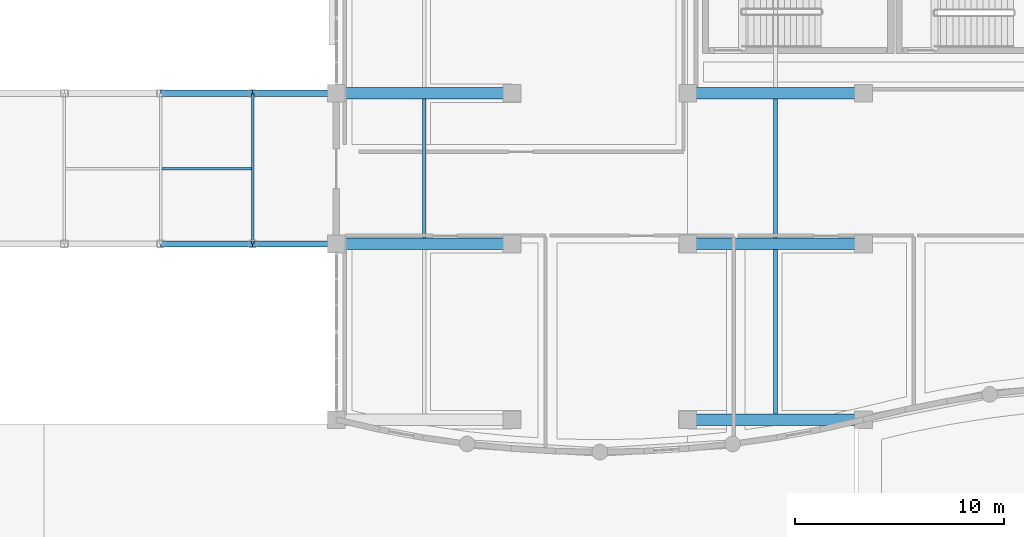
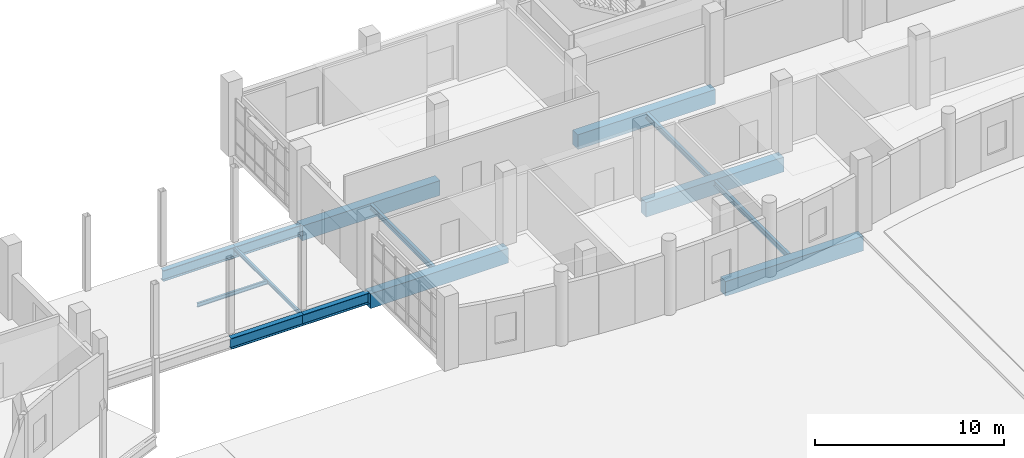
# One storey, part 30 of 97: 14 beams.
"""IFC4 building model written with IfcOpenShell, lengths in metres."""

from ifc_helpers import new_model, si_unit, direction, frame, origin, origin_2d, place, context, subcontext, project, spatial, rectangle, i_section, extrude, material, material_profile, profile_set, type_object, element, save


model = new_model("IFC4")

# Units and contexts
model_context = context("Model", 3, precision=1e-05, world=origin(), true_north=direction((0.0, 1.0)))
body_context = subcontext(model_context, "Body", "Model", "MODEL_VIEW")
ifc_project = project(units=[si_unit("LENGTHUNIT", "METRE"), si_unit("AREAUNIT", "SQUARE_METRE"), si_unit("VOLUMEUNIT", "CUBIC_METRE"), si_unit("PLANEANGLEUNIT", "RADIAN"), si_unit("MASSUNIT", "GRAM", prefix="KILO")], contexts=[model_context])

# Site, building, storey
site_placement = place(None, origin())
site = spatial("IfcSite", under=ifc_project, at=site_placement, CompositionType="ELEMENT")
building_placement = place(site_placement, origin())
building = spatial("IfcBuilding", under=site, at=building_placement, Name="Kisaragi Civic Commons", CompositionType="ELEMENT")
storey_placement = place(building_placement, origin())
storey = spatial("IfcBuildingStorey", under=building, at=storey_placement, Name="L00", CompositionType="ELEMENT", Elevation=0.0)

# Beams
ifc_material_1 = material(Name="Concrete Fc36", Category="concrete")
ifc_material_profile_1 = material_profile(ifc_material_1, rectangle(XDim=0.550048828125, YDim=0.949951171875, at=origin_2d()), Name="RC-550x950", Category="concrete")
ifc_profile_set_1 = profile_set([ifc_material_profile_1], Name="Concrete Fc36")
beam_type_1 = type_object("IfcBeamType", Name="G-01", PredefinedType="BEAM", material=ifc_profile_set_1)
for number, where, z_axis, x_axis, name in (
    (1, (88.800048828125, 96.0, -0.800048828125), (1.0, 0.0, 0.0), (0.0, 1.0, 0.0), "L00 girder G-01 112"),
    (2, (72.0, 104.39990234375, -0.800048828125), (1.0, 0.0, 0.0), (0.0, 1.0, 0.0), "L00 girder G-01 115"),
    (3, (88.800048828125, 104.39990234375, -0.800048828125), (1.0, 0.0, 0.0), (0.0, 1.0, 0.0), "L00 girder G-01 116"),
    (4, (72.0, 111.60009765625, -0.800048828125), (1.0, 0.0, 0.0), (0.0, 1.0, 0.0), "L00 girder G-01 120"),
    (5, (88.800048828125, 111.60009765625, -0.800048828125), (1.0, 0.0, 0.0), (0.0, 1.0, 0.0), "L00 girder G-01 121"),
):
    element("IfcBeam", number, at=place(storey_placement, frame(where, z_axis=z_axis, x_axis=x_axis)), inside=storey, type_object=beam_type_1, Name=name, PredefinedType="BEAM", context=body_context, shape_type="SweptSolid", body=[
        extrude(rectangle(XDim=0.550048828125, YDim=0.949951171875, at=origin_2d()), origin(), (0.0, 0.0, 1.0), 8.39990234375),
    ])
ifc_material_2 = material(Name="Steel SN490 (SN490B)", Category="steel")
ifc_material_profile_2 = material_profile(ifc_material_2, i_section(OverallWidth=0.300048828125, OverallDepth=0.699951171875, WebThickness=0.012939453125, FlangeThickness=0.02392578125, FilletRadius=0.01806640625, at=origin_2d()), Name="H-700x300x13x24", Category="steel")
ifc_profile_set_2 = profile_set([ifc_material_profile_2], Name="Steel SN490 (SN490B)")
beam_type_2 = type_object("IfcBeamType", Name="G-09", PredefinedType="BEAM", material=ifc_profile_set_2)
beam_1_placement = place(storey_placement, frame((72.0, 104.39990234375, -0.68994140625), z_axis=(-1.0, 0.0, 0.0), x_axis=(0.0, -1.0, 0.0)))
element("IfcBeam", 6, at=beam_1_placement, inside=storey, type_object=beam_type_2, Name="BR-V4-V2 L00 bridge girder 1", PredefinedType="BEAM", context=body_context, shape_type="SweptSolid", body=[
    extrude(i_section(OverallWidth=0.300048828125, OverallDepth=0.699951171875, WebThickness=0.012939453125, FlangeThickness=0.02392578125, FilletRadius=0.01806640625, at=origin_2d()), origin(), (0.0, 0.0, 1.0), 4.0),
])
beam_2_placement = place(storey_placement, frame((68.0, 104.39990234375, -0.68994140625), z_axis=(-1.0, 0.0, 0.0), x_axis=(0.0, -1.0, 0.0)))
element("IfcBeam", 7, at=beam_2_placement, inside=storey, type_object=beam_type_2, Name="BR-V4-V2 L00 bridge girder 2", PredefinedType="BEAM", context=body_context, shape_type="SweptSolid", body=[
    extrude(i_section(OverallWidth=0.300048828125, OverallDepth=0.699951171875, WebThickness=0.012939453125, FlangeThickness=0.02392578125, FilletRadius=0.01806640625, at=origin_2d()), origin(), (0.0, 0.0, 1.0), 4.39990234375),
])
beam_3_placement = place(storey_placement, frame((72.0, 111.60009765625, -0.68994140625), z_axis=(-1.0, 0.0, 0.0), x_axis=(0.0, -1.0, 0.0)))
element("IfcBeam", 8, at=beam_3_placement, inside=storey, type_object=beam_type_2, Name="BR-V4-V2 L00 bridge girder 6", PredefinedType="BEAM", context=body_context, shape_type="SweptSolid", body=[
    extrude(i_section(OverallWidth=0.300048828125, OverallDepth=0.699951171875, WebThickness=0.012939453125, FlangeThickness=0.02392578125, FilletRadius=0.01806640625, at=origin_2d()), origin(), (0.0, 0.0, 1.0), 4.0),
])
beam_4_placement = place(storey_placement, frame((68.0, 111.60009765625, -0.68994140625), z_axis=(-1.0, 0.0, 0.0), x_axis=(0.0, -1.0, 0.0)))
element("IfcBeam", 9, at=beam_4_placement, inside=storey, type_object=beam_type_2, Name="BR-V4-V2 L00 bridge girder 7", PredefinedType="BEAM", context=body_context, shape_type="SweptSolid", body=[
    extrude(i_section(OverallWidth=0.300048828125, OverallDepth=0.699951171875, WebThickness=0.012939453125, FlangeThickness=0.02392578125, FilletRadius=0.01806640625, at=origin_2d()), origin(), (0.0, 0.0, 1.0), 4.39990234375),
])
ifc_material_3 = material(Name="Steel SN400 (SN400B)", Category="steel")
ifc_material_profile_3 = material_profile(ifc_material_3, i_section(OverallWidth=0.175048828125, OverallDepth=0.35009765625, WebThickness=0.007080078125, FlangeThickness=0.010986328125, FilletRadius=0.012939453125, at=origin_2d()), Name="H-350x175x7x11", Category="steel")
ifc_profile_set_3 = profile_set([ifc_material_profile_3], Name="Steel SN400 (SN400B)")
beam_type_3 = type_object("IfcBeamType", Name="J-02", PredefinedType="JOIST", material=ifc_profile_set_3)
beam_5_placement = place(storey_placement, frame((76.199951171875, 104.675048828125, -0.5), z_axis=(0.0, 1.0, 0.0), x_axis=(-1.0, 0.0, 0.0)))
element("IfcBeam", 10, at=beam_5_placement, inside=storey, type_object=beam_type_3, Name="L00 secondary steel joist J-02 31", PredefinedType="JOIST", context=body_context, shape_type="SweptSolid", body=[
    extrude(i_section(OverallWidth=0.175048828125, OverallDepth=0.35009765625, WebThickness=0.007080078125, FlangeThickness=0.010986328125, FilletRadius=0.012939453125, at=origin_2d()), origin(), (0.0, 0.0, 1.0), 6.64990234375),
])
beam_6_placement = place(storey_placement, frame((93.0, 96.27490234375, -0.5), z_axis=(0.0, 1.0, 0.0), x_axis=(-1.0, 0.0, 0.0)))
element("IfcBeam", 11, at=beam_6_placement, inside=storey, type_object=beam_type_3, Name="L00 secondary steel joist J-02 33", PredefinedType="JOIST", context=body_context, shape_type="SweptSolid", body=[
    extrude(i_section(OverallWidth=0.175048828125, OverallDepth=0.35009765625, WebThickness=0.007080078125, FlangeThickness=0.010986328125, FilletRadius=0.012939453125, at=origin_2d()), origin(), (0.0, 0.0, 1.0), 7.85009765625),
])
beam_7_placement = place(storey_placement, frame((93.0, 104.675048828125, -0.5), z_axis=(0.0, 1.0, 0.0), x_axis=(-1.0, 0.0, 0.0)))
element("IfcBeam", 12, at=beam_7_placement, inside=storey, type_object=beam_type_3, Name="L00 secondary steel joist J-02 34", PredefinedType="JOIST", context=body_context, shape_type="SweptSolid", body=[
    extrude(i_section(OverallWidth=0.175048828125, OverallDepth=0.35009765625, WebThickness=0.007080078125, FlangeThickness=0.010986328125, FilletRadius=0.012939453125, at=origin_2d()), origin(), (0.0, 0.0, 1.0), 6.64990234375),
])
ifc_material_profile_4 = material_profile(ifc_material_3, i_section(OverallWidth=0.125, OverallDepth=0.25, WebThickness=0.006103515625, FlangeThickness=0.009033203125, FilletRadius=0.008056640625, at=origin_2d()), Name="H-250x125x6x9", Category="steel")
ifc_profile_set_4 = profile_set([ifc_material_profile_4], Name="Steel SN400 (SN400B)")
beam_type_4 = type_object("IfcBeamType", Name="J-05", PredefinedType="JOIST", material=ifc_profile_set_4)
beam_8_placement = place(storey_placement, frame((68.0, 104.39990234375, -0.465087890625), z_axis=(0.0, 1.0, 0.0), x_axis=(-1.0, 0.0, 0.0)))
element("IfcBeam", 13, at=beam_8_placement, inside=storey, type_object=beam_type_4, Name="BR-V4-V2 L00 cross joist 11", PredefinedType="JOIST", context=body_context, shape_type="SweptSolid", body=[
    extrude(i_section(OverallWidth=0.125, OverallDepth=0.25, WebThickness=0.006103515625, FlangeThickness=0.009033203125, FilletRadius=0.008056640625, at=origin_2d()), origin(), (0.0, 0.0, 1.0), 7.2001953125),
])
beam_9_placement = place(storey_placement, frame((67.9375, 108.0, -0.465087890625), z_axis=(-1.0, 0.0, 0.0), x_axis=(0.0, -1.0, 0.0)))
element("IfcBeam", 14, at=beam_9_placement, inside=storey, type_object=beam_type_4, Name="BR-V4-V2 L00 spine joist 14", PredefinedType="JOIST", context=body_context, shape_type="SweptSolid", body=[
    extrude(i_section(OverallWidth=0.125, OverallDepth=0.25, WebThickness=0.006103515625, FlangeThickness=0.009033203125, FilletRadius=0.008056640625, at=origin_2d()), origin(), (0.0, 0.0, 1.0), 4.27490234375),
])

save(model, "model.ifc")
